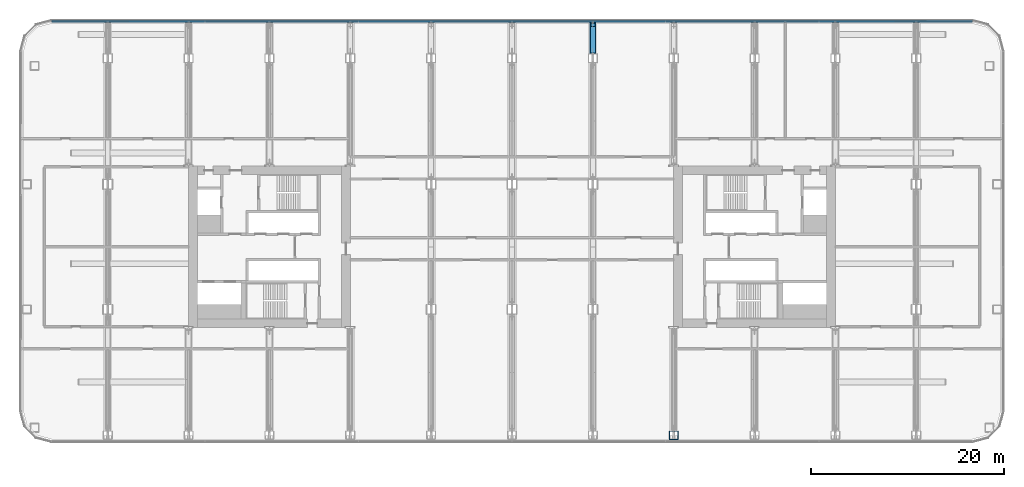
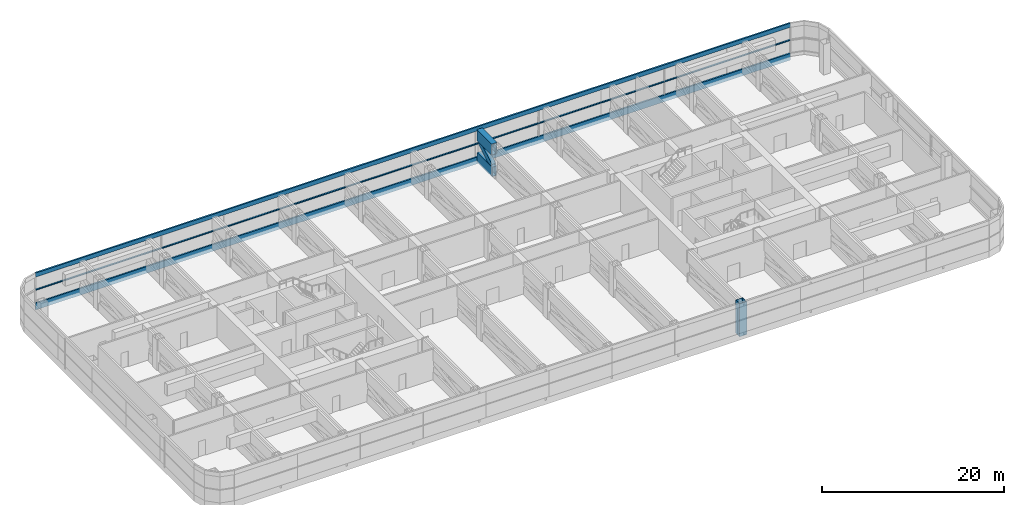
# One storey, part 9 of 30: 7 members, 1 element without a shape of its own.
"""IFC4 building model written with IfcOpenShell, lengths in metres."""

from ifc_helpers import new_model, si_unit, direction, frame, origin, origin_2d, place, context, subcontext, project, spatial, rectangle, hollow_rectangle, extrude, material, layer, layer_set, material_profile, profile_set, type_object, element, aggregate, save


model = new_model("IFC4")

# Units and contexts
model_context = context("Model", 3, precision=1e-05, world=origin(), true_north=direction((0.0, 1.0)))
body_context = subcontext(model_context, "Body", "Model", "MODEL_VIEW")
ifc_project = project(units=[si_unit("LENGTHUNIT", "METRE"), si_unit("AREAUNIT", "SQUARE_METRE"), si_unit("VOLUMEUNIT", "CUBIC_METRE"), si_unit("PLANEANGLEUNIT", "RADIAN"), si_unit("MASSUNIT", "GRAM", prefix="KILO")], contexts=[model_context])

# Site, building, storey
site_placement = place(None, origin())
site = spatial("IfcSite", under=ifc_project, at=site_placement, CompositionType="ELEMENT")
building_placement = place(site_placement, origin())
building = spatial("IfcBuilding", under=site, at=building_placement, Name="Hakoniwa Tower and Hamabe Station Hall", CompositionType="ELEMENT")
storey_placement = place(building_placement, frame((0.0, 0.0, 64.60009765625)))
storey = spatial("IfcBuildingStorey", under=building, at=storey_placement, Name="L18", CompositionType="ELEMENT", Elevation=64.60009765625)

# Curtain wall, members
ifc_material_1 = material(Name="Dark low-e laminated glass", Category="glass")
ifc_layer = layer(ifc_material_1, 0.199951171875)
ifc_layer_set = layer_set([ifc_layer], Name="CW-6 PLANT LOUVRE")
curtain_wall_type = type_object("IfcCurtainWallType", Name="CW-6 PLANT LOUVRE", PredefinedType="NOTDEFINED", material=ifc_layer_set)
curtain_wall_placement = place(storey_placement, origin())
curtain_wall = element("IfcCurtainWall", 1, at=curtain_wall_placement, inside=storey, type_object=curtain_wall_type, Name="CW-6 curtain wall", PredefinedType="NOTDEFINED")
ifc_material_2 = material(Name="Aluminium 6063-T5 black anodised", Category="aluminium")
ifc_material_profile_1 = material_profile(ifc_material_2, rectangle(XDim=0.199951171875, YDim=0.550048828125, at=origin_2d()), Name="CW HEAD BAND 550X200")
ifc_profile_set_1 = profile_set([ifc_material_profile_1], Name="Aluminium 6063-T5 black anodised")
member_type_1 = type_object("IfcMemberType", Name="CW HEAD BAND 550X200", PredefinedType="USERDEFINED", material=ifc_profile_set_1)
member_1_placement = place(storey_placement, frame((47.839599609375, 23.449951171875, 4.125), z_axis=(-1.0, 0.0, 0.0), x_axis=(0.0, -1.0, 0.0)))
member_1 = element("IfcMember", 2, at=member_1_placement, type_object=member_type_1, Name="CW-6 transom", ObjectType="TRANSOM", PredefinedType="USERDEFINED", context=body_context, shape_type="SweptSolid", body=[
    extrude(rectangle(XDim=0.199951171875, YDim=0.550048828125, at=origin_2d()), origin(), (0.0, 0.0, 1.0), 95.67919921875),
])
ifc_material_3 = material(Name="Aluminium 6063-T5 black anodised", Category="aluminium")
ifc_material_profile_2 = material_profile(ifc_material_3, rectangle(XDim=0.199951171875, YDim=0.1201171875, at=origin_2d()), Name="CW MID TRANSOM 120X200")
ifc_profile_set_2 = profile_set([ifc_material_profile_2], Name="Aluminium 6063-T5 black anodised")
member_type_2 = type_object("IfcMemberType", Name="CW MID TRANSOM 120X200", PredefinedType="USERDEFINED", material=ifc_profile_set_2)
member_2_placement = place(storey_placement, frame((47.839599609375, 23.449951171875, 2.099853515625), z_axis=(-1.0, 0.0, 0.0), x_axis=(0.0, -1.0, 0.0)))
member_2 = element("IfcMember", 3, at=member_2_placement, type_object=member_type_2, Name="CW-6 transom", ObjectType="TRANSOM", PredefinedType="USERDEFINED", context=body_context, shape_type="SweptSolid", body=[
    extrude(rectangle(XDim=0.199951171875, YDim=0.1201171875, at=origin_2d()), origin(), (0.0, 0.0, 1.0), 95.67919921875),
])
ifc_material_4 = material(Name="Aluminium 6063-T5 black anodised", Category="aluminium")
ifc_material_profile_3 = material_profile(ifc_material_4, rectangle(XDim=0.199951171875, YDim=0.89990234375, at=origin_2d()), Name="CW SLAB-EDGE BAND 900X200")
ifc_profile_set_3 = profile_set([ifc_material_profile_3], Name="Aluminium 6063-T5 black anodised")
member_type_3 = type_object("IfcMemberType", Name="CW SLAB-EDGE BAND 900X200", PredefinedType="USERDEFINED", material=ifc_profile_set_3)
member_3_placement = place(storey_placement, frame((47.839599609375, 23.449951171875, -0.10009765625), z_axis=(-1.0, 0.0, 0.0), x_axis=(0.0, -1.0, 0.0)))
member_3 = element("IfcMember", 4, at=member_3_placement, type_object=member_type_3, Name="CW-6 transom", ObjectType="TRANSOM", PredefinedType="USERDEFINED", context=body_context, shape_type="SweptSolid", body=[
    extrude(rectangle(XDim=0.199951171875, YDim=0.89990234375, at=origin_2d()), origin(), (0.0, 0.0, 1.0), 95.67919921875),
])
aggregate(curtain_wall, [member_3, member_2, member_1])

# Members
ifc_material_5 = material(Name="Steel SN490C", Category="steel")
ifc_material_profile_4 = material_profile(ifc_material_5, hollow_rectangle(XDim=0.60009765625, YDim=1.300048828125, WallThickness=0.050048828125, at=origin_2d()), Name="BX-1300x600x50")
ifc_profile_set_4 = profile_set([ifc_material_profile_4], Name="Steel SN490C")
member_type_4 = type_object("IfcMemberType", Name="TRUSS CHORD BX-1300x600x50", PredefinedType="CHORD", material=ifc_profile_set_4)
member_4_placement = place(storey_placement, frame((8.39990234375, 20.050048828125, 0.349853515625), z_axis=(0.0, 1.0, 0.0), x_axis=(-1.0, 0.0, 0.0)))
element("IfcMember", 5, at=member_4_placement, inside=storey, type_object=member_type_4, Name="Truss T1-14-BCH", PredefinedType="CHORD", context=body_context, shape_type="SweptSolid", body=[
    extrude(hollow_rectangle(XDim=0.60009765625, YDim=1.300048828125, WallThickness=0.050048828125, at=origin_2d()), origin(), (0.0, 0.0, 1.0), 3.25),
])
ifc_material_6 = material(Name="Steel SN490C", Category="steel")
ifc_material_profile_5 = material_profile(ifc_material_6, hollow_rectangle(XDim=0.699951171875, YDim=1.5, WallThickness=0.054931640625, at=origin_2d()), Name="BX-1500x700x55")
ifc_profile_set_5 = profile_set([ifc_material_profile_5], Name="Steel SN490C")
member_type_5 = type_object("IfcMemberType", Name="TRUSS CHORD BX-1500x700x55", PredefinedType="CHORD", material=ifc_profile_set_5)
member_5_placement = place(storey_placement, frame((8.39990234375, 20.050048828125, 3.349853515625), z_axis=(0.0, 1.0, 0.0), x_axis=(-1.0, 0.0, 0.0)))
element("IfcMember", 6, at=member_5_placement, inside=storey, type_object=member_type_5, Name="Truss T1-14-TCH", PredefinedType="CHORD", context=body_context, shape_type="SweptSolid", body=[
    extrude(hollow_rectangle(XDim=0.699951171875, YDim=1.5, WallThickness=0.054931640625, at=origin_2d()), origin(), (0.0, 0.0, 1.0), 3.25),
])
ifc_material_7 = material(Name="Steel SN490C", Category="steel")
ifc_material_profile_6 = material_profile(ifc_material_7, hollow_rectangle(XDim=0.5, YDim=0.699951171875, WallThickness=0.031982421875, at=origin_2d()), Name="BX-700x500x32")
ifc_profile_set_6 = profile_set([ifc_material_profile_6], Name="Steel SN490C")
member_type_6 = type_object("IfcMemberType", Name="TRUSS DIAGONAL BX-700x500x32", PredefinedType="BRACE", material=ifc_profile_set_6)
member_6_placement = place(storey_placement, frame((8.39990234375, 20.300048828125, 1.0), z_axis=(0.0, 0.864368350493, 0.502859179757), x_axis=(-1.0, 0.0, 0.0)))
element("IfcMember", 7, at=member_6_placement, inside=storey, type_object=member_type_6, Name="Truss T1-14-DHa", PredefinedType="BRACE", context=body_context, shape_type="SweptSolid", body=[
    extrude(hollow_rectangle(XDim=0.5, YDim=0.699951171875, WallThickness=0.031982421875, at=origin_2d()), origin(), (0.0, 0.0, 1.0), 3.181396484375),
])
ifc_material_8 = material(Name="Steel SN490C", Category="steel")
ifc_material_profile_7 = material_profile(ifc_material_8, hollow_rectangle(XDim=0.89990234375, YDim=0.89990234375, WallThickness=0.035888671875, at=origin_2d()), Name="BX-900x900x36")
ifc_profile_set_7 = profile_set([ifc_material_profile_7], Name="Steel SN490C")
member_type_7 = type_object("IfcMemberType", Name="TRUSS POST BX-900x900x36", PredefinedType="POST", material=ifc_profile_set_7)
member_7_placement = place(storey_placement, frame((16.800048828125, -19.60009765625, -0.300048828125), z_axis=(0.0, 0.0, 1.0), x_axis=(1.0, 0.0, 0.0)))
element("IfcMember", 8, at=member_7_placement, inside=storey, type_object=member_type_7, Name="Truss T1-15-P01", PredefinedType="POST", context=body_context, shape_type="SweptSolid", body=[
    extrude(hollow_rectangle(XDim=0.89990234375, YDim=0.89990234375, WallThickness=0.035888671875, at=origin_2d()), origin(), (0.0, 0.0, 1.0), 4.39990234375),
])

save(model, "model.ifc")
